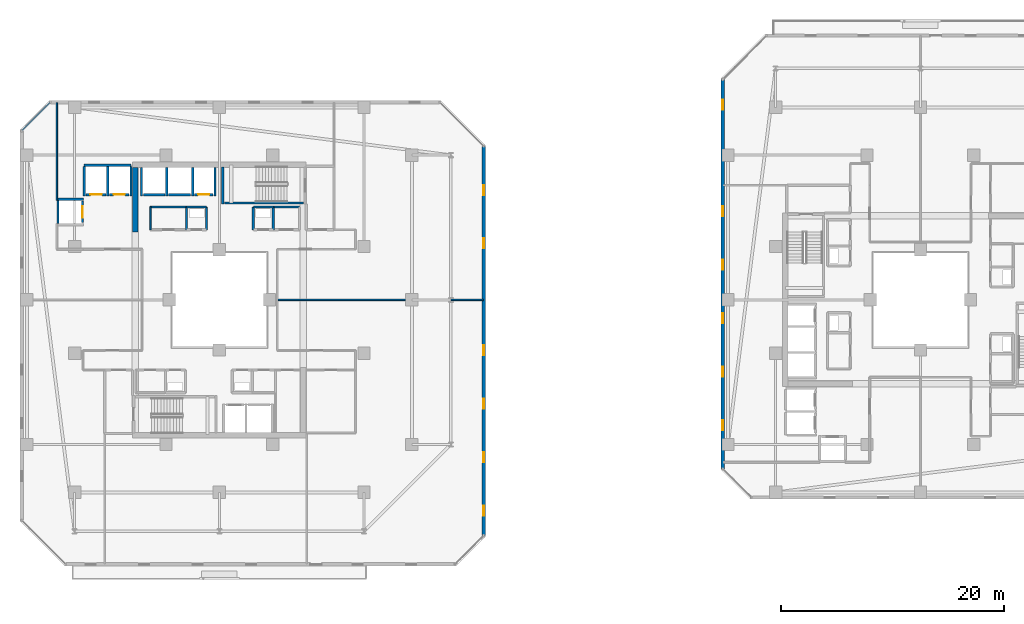
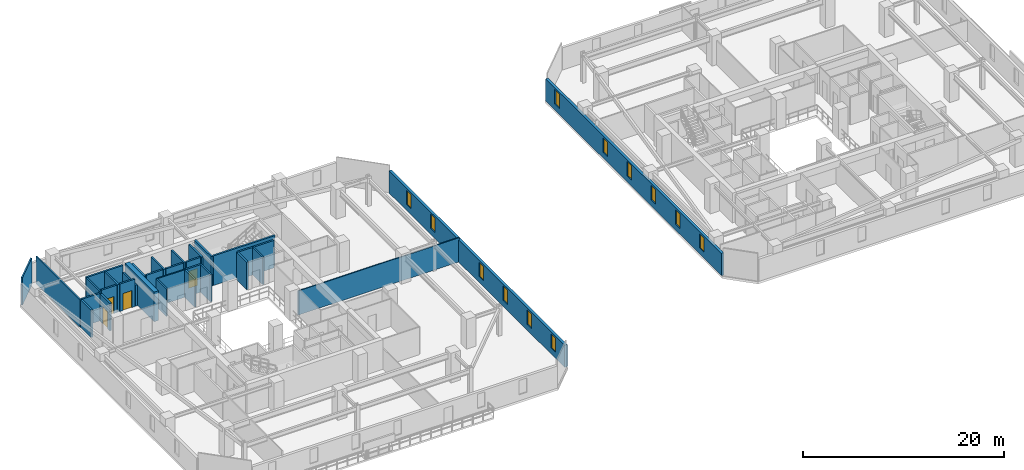
# One storey, part 21 of 32: 33 walls, 12 windows, 4 doors, 16 openings.
"""IFC4 building model written with IfcOpenShell, lengths in metres."""

from ifc_helpers import new_model, si_unit, direction, frame, frame_2d, origin, place, context, subcontext, project, spatial, rectangle, extrude, material, layer, layer_set, type_object, element, fill, save


model = new_model("IFC4")

# Units and contexts
model_context = context("Model", 3, precision=1e-05, world=origin(), true_north=direction((0.0, 1.0)))
body_context = subcontext(model_context, "Body", "Model", "MODEL_VIEW")
ifc_project = project(units=[si_unit("LENGTHUNIT", "METRE"), si_unit("AREAUNIT", "SQUARE_METRE"), si_unit("VOLUMEUNIT", "CUBIC_METRE"), si_unit("PLANEANGLEUNIT", "RADIAN"), si_unit("MASSUNIT", "GRAM", prefix="KILO")], contexts=[model_context])

# Site, building, storey
site_placement = place(None, origin())
site = spatial("IfcSite", under=ifc_project, at=site_placement, CompositionType="ELEMENT")
building_placement = place(site_placement, origin())
building = spatial("IfcBuilding", under=site, at=building_placement, Name="Thornwick Lancets Civic Towers", CompositionType="ELEMENT")
storey_placement = place(building_placement, frame((0.0, 0.0, 152.699951171875)))
storey = spatial("IfcBuildingStorey", under=building, at=storey_placement, Name="L40", CompositionType="ELEMENT", Elevation=152.699951171875)

# Wall, opening, door
ifc_material_1 = material(Name="Concrete blockwork C40/50", Category="masonry")
ifc_layer_1 = layer(ifc_material_1, 0.199951171875, Name="Concrete blockwork C40/50")
ifc_layer_set_1 = layer_set([ifc_layer_1], Name="Concrete blockwork C40/50")
wall_type_1 = type_object("IfcWallType", Name="WALL_COMP_200", PredefinedType="STANDARD", material=ifc_layer_set_1)
wall_1_placement = place(storey_placement, frame((24.919921875, 36.449951171875, 0.0), z_axis=(0.0, 0.0, 1.0), x_axis=(-1.0, 0.0, 0.0)))
wall_1 = element("IfcWall", 1, at=wall_1_placement, inside=storey, type_object=wall_type_1, Name="L40 Hoistway Front Wall FL-A2", PredefinedType="STANDARD", context=body_context, shape_type="SweptSolid", body=[
    extrude(rectangle(XDim=1.639892578125, YDim=0.199951171875, at=frame_2d((0.81982421875, 0.0))), origin(), (0.0, 0.0, 1.0), 3.340087890625),
])
opening_1_placement = place(wall_1_placement, frame((0.31005859375, 0.0, 0.0)))
opening_1 = element("IfcOpeningElement", 2, at=opening_1_placement, cuts=wall_1, Name="Opening LD-FL-A2", PredefinedType="OPENING", context=body_context, shape_type="SweptSolid", body=[
    extrude(rectangle(XDim=1.02001953125, YDim=2.06005859375, at=frame_2d((0.510009765625, 1.030029296875))), frame((0.0, 0.10986328125, 0.0), z_axis=(0.0, -1.0, 0.0), x_axis=(1.0, 0.0, 0.0)), (0.0, 0.0, 1.0), 0.219970703125),
])
ifc_material_2 = material(Name="Brushed bronze stainless steel", Category="steel")
door_type = type_object("IfcDoorType", Name="DOOR_LIFT_SLIDE", OperationType="SLIDING_TO_LEFT", PredefinedType="DOOR", material=ifc_material_2)
door_1_placement = place(opening_1_placement, origin())
door_1 = element("IfcDoor", 3, at=door_1_placement, inside=storey, type_object=door_type, Name="L40 Sliding Lift Landing Door LD-FL-A2", OperationType="SLIDING_TO_LEFT", OverallHeight=2.06005859375, OverallWidth=1.02001953125, PredefinedType="DOOR", context=body_context, shape_type="SweptSolid", body=[
    extrude(rectangle(XDim=1.02001953125, YDim=2.06005859375, at=frame_2d((0.510009765625, 1.030029296875))), frame((0.0, 0.02490234375, 0.0), z_axis=(0.0, -1.0, 0.0), x_axis=(1.0, 0.0, 0.0)), (0.0, 0.0, 1.0), 0.050048828125),
])
fill(opening_1, door_1)

# Walls
wall_2_placement = place(storey_placement, frame((22.919921875, 36.449951171875, 0.0), z_axis=(0.0, 0.0, 1.0), x_axis=(-1.0, 0.0, 0.0)))
element("IfcWall", 4, at=wall_2_placement, inside=storey, type_object=wall_type_1, Name="L40 Hoistway Front Wall PL-AH2", PredefinedType="STANDARD", context=body_context, shape_type="SweptSolid", body=[
    extrude(rectangle(XDim=1.989990234375, YDim=0.199951171875, at=frame_2d((0.9951171875, 0.0))), origin(), (0.0, 0.0, 1.0), 3.340087890625),
])
wall_3_placement = place(storey_placement, frame((20.6201171875, 36.449951171875, 0.0), z_axis=(0.0, 0.0, 1.0), x_axis=(-1.0, 0.0, 0.0)))
element("IfcWall", 5, at=wall_3_placement, inside=storey, type_object=wall_type_1, Name="L40 Hoistway Front Wall PL-AH3", PredefinedType="STANDARD", context=body_context, shape_type="SweptSolid", body=[
    extrude(rectangle(XDim=1.940185546875, YDim=0.199951171875, at=frame_2d((0.97021484375, 0.0))), origin(), (0.0, 0.0, 1.0), 3.340087890625),
])

# Wall, opening, door
wall_4_placement = place(storey_placement, frame((17.3701171875, 36.449951171875, 0.0), z_axis=(0.0, 0.0, 1.0), x_axis=(-1.0, 0.0, 0.0)))
wall_4 = element("IfcWall", 6, at=wall_4_placement, inside=storey, type_object=wall_type_1, Name="L40 Hoistway Front Wall PL-AM1", PredefinedType="STANDARD", context=body_context, shape_type="SweptSolid", body=[
    extrude(rectangle(XDim=1.740234375, YDim=0.199951171875, at=frame_2d((0.8701171875, 0.0))), origin(), (0.0, 0.0, 1.0), 3.340087890625),
])
opening_2_placement = place(wall_4_placement, frame((0.360107421875, 0.0, 0.0)))
opening_2 = element("IfcOpeningElement", 7, at=opening_2_placement, cuts=wall_4, Name="Opening LD-PL-AM1", PredefinedType="OPENING", context=body_context, shape_type="SweptSolid", body=[
    extrude(rectangle(XDim=1.02001953125, YDim=2.06005859375, at=frame_2d((0.510009765625, 1.030029296875))), frame((0.0, 0.10986328125, 0.0), z_axis=(0.0, -1.0, 0.0), x_axis=(1.0, 0.0, 0.0)), (0.0, 0.0, 1.0), 0.219970703125),
])
door_2_placement = place(opening_2_placement, origin())
door_2 = element("IfcDoor", 8, at=door_2_placement, inside=storey, type_object=door_type, Name="L40 Sliding Lift Landing Door LD-PL-AM1", OperationType="SLIDING_TO_LEFT", OverallHeight=2.06005859375, OverallWidth=1.02001953125, PredefinedType="DOOR", context=body_context, shape_type="SweptSolid", body=[
    extrude(rectangle(XDim=1.02001953125, YDim=2.06005859375, at=frame_2d((0.510009765625, 1.030029296875))), frame((0.0, 0.02490234375, 0.0), z_axis=(0.0, -1.0, 0.0), x_axis=(1.0, 0.0, 0.0)), (0.0, 0.0, 1.0), 0.050048828125),
])
fill(opening_2, door_2)

wall_5_placement = place(storey_placement, frame((15.320068359375, 36.449951171875, 0.0), z_axis=(0.0, 0.0, 1.0), x_axis=(-1.0, 0.0, 0.0)))
wall_5 = element("IfcWall", 9, at=wall_5_placement, inside=storey, type_object=wall_type_1, Name="L40 Hoistway Front Wall PL-AM2", PredefinedType="STANDARD", context=body_context, shape_type="SweptSolid", body=[
    extrude(rectangle(XDim=1.7900390625, YDim=0.199951171875, at=frame_2d((0.89501953125, 0.0))), origin(), (0.0, 0.0, 1.0), 3.340087890625),
])
opening_3_placement = place(wall_5_placement, frame((0.385009765625, 0.0, 0.0)))
opening_3 = element("IfcOpeningElement", 10, at=opening_3_placement, cuts=wall_5, Name="Opening LD-PL-AM2", PredefinedType="OPENING", context=body_context, shape_type="SweptSolid", body=[
    extrude(rectangle(XDim=1.02001953125, YDim=2.06005859375, at=frame_2d((0.510009765625, 1.030029296875))), frame((0.0, 0.10986328125, 0.0), z_axis=(0.0, -1.0, 0.0), x_axis=(1.0, 0.0, 0.0)), (0.0, 0.0, 1.0), 0.219970703125),
])
door_3_placement = place(opening_3_placement, origin())
door_3 = element("IfcDoor", 11, at=door_3_placement, inside=storey, type_object=door_type, Name="L40 Sliding Lift Landing Door LD-PL-AM2", OperationType="SLIDING_TO_LEFT", OverallHeight=2.06005859375, OverallWidth=1.02001953125, PredefinedType="DOOR", context=body_context, shape_type="SweptSolid", body=[
    extrude(rectangle(XDim=1.02001953125, YDim=2.06005859375, at=frame_2d((0.510009765625, 1.030029296875))), frame((0.0, 0.02490234375, 0.0), z_axis=(0.0, -1.0, 0.0), x_axis=(1.0, 0.0, 0.0)), (0.0, 0.0, 1.0), 0.050048828125),
])
fill(opening_3, door_3)

wall_6_placement = place(storey_placement, frame((13.199951171875, 33.929931640625, 0.0), z_axis=(0.0, 0.0, 1.0), x_axis=(0.0, 1.0, 0.0)))
wall_6 = element("IfcWall", 12, at=wall_6_placement, inside=storey, type_object=wall_type_1, Name="L40 Hoistway Front Wall PL-AM3", PredefinedType="STANDARD", context=body_context, shape_type="SweptSolid", body=[
    extrude(rectangle(XDim=1.940185546875, YDim=0.199951171875, at=frame_2d((0.97021484375, 0.0))), origin(), (0.0, 0.0, 1.0), 3.340087890625),
])
opening_4_placement = place(wall_6_placement, frame((0.4599609375, 0.0, 0.0)))
opening_4 = element("IfcOpeningElement", 13, at=opening_4_placement, cuts=wall_6, Name="Opening LD-PL-AM3", PredefinedType="OPENING", context=body_context, shape_type="SweptSolid", body=[
    extrude(rectangle(XDim=1.02001953125, YDim=2.06005859375, at=frame_2d((0.510009765625, 1.030029296875))), frame((0.0, 0.10986328125, 0.0), z_axis=(0.0, -1.0, 0.0), x_axis=(1.0, 0.0, 0.0)), (0.0, 0.0, 1.0), 0.219970703125),
])
door_4_placement = place(opening_4_placement, origin())
door_4 = element("IfcDoor", 14, at=door_4_placement, inside=storey, type_object=door_type, Name="L40 Sliding Lift Landing Door LD-PL-AM3", OperationType="SLIDING_TO_LEFT", OverallHeight=2.06005859375, OverallWidth=1.02001953125, PredefinedType="DOOR", context=body_context, shape_type="SweptSolid", body=[
    extrude(rectangle(XDim=1.02001953125, YDim=2.06005859375, at=frame_2d((0.510009765625, 1.030029296875))), frame((0.0, 0.02490234375, 0.0), z_axis=(0.0, -1.0, 0.0), x_axis=(1.0, 0.0, 0.0)), (0.0, 0.0, 1.0), 0.050048828125),
])
fill(opening_4, door_4)

# Walls
for number, where, z_axis, x_axis, name in (
    (15, (25.10009765625, 36.35205078125, 0.0), (0.0, 0.0, 1.0), (0.0, 1.0, 0.0), "L40 Hoistway Shaft Wall FL-A2 E"),
    (16, (23.10009765625, 36.35205078125, 0.0), (0.0, 0.0, 1.0), (0.0, 1.0, 0.0), "L40 Hoistway Shaft Wall FL-A2 W"),
    (17, (20.77490234375, 36.35205078125, 0.0), (0.0, 0.0, 1.0), (0.0, 1.0, 0.0), "L40 Hoistway Shaft Wall PL-AH2 W"),
    (18, (18.5, 36.35205078125, 0.0), (0.0, 0.0, 1.0), (0.0, 1.0, 0.0), "L40 Hoistway Shaft Wall PL-AH3 W"),
):
    element("IfcWall", number, at=place(storey_placement, frame(where, z_axis=z_axis, x_axis=x_axis)), inside=storey, type_object=wall_type_1, Name=name, PredefinedType="STANDARD", context=body_context, shape_type="SweptSolid", body=[
        extrude(rectangle(XDim=2.535888671875, YDim=0.199951171875, at=frame_2d((1.26806640625, 0.0))), origin(), (0.0, 0.0, 1.0), 3.340087890625),
    ])
wall_7_placement = place(storey_placement, frame((13.35205078125, 39.10009765625, 0.0), z_axis=(0.0, 0.0, 1.0), x_axis=(1.0, 0.0, 0.0)))
element("IfcWall", 19, at=wall_7_placement, inside=storey, type_object=wall_type_1, Name="L40 Hoistway Shaft Wall PL-AM1 N", PredefinedType="STANDARD", context=body_context, shape_type="SweptSolid", body=[
    extrude(rectangle(XDim=4.196044921875, YDim=0.199951171875, at=frame_2d((2.09814453125, 0.0))), origin(), (0.0, 0.0, 1.0), 3.340087890625),
])
wall_8_placement = place(storey_placement, frame((17.550048828125, 36.35205078125, 0.0), z_axis=(0.0, 0.0, 1.0), x_axis=(0.0, 1.0, 0.0)))
element("IfcWall", 20, at=wall_8_placement, inside=storey, type_object=wall_type_1, Name="L40 Hoistway Shaft Wall PL-AM1 E", PredefinedType="STANDARD", context=body_context, shape_type="SweptSolid", body=[
    extrude(rectangle(XDim=2.635986328125, YDim=0.199951171875, at=frame_2d((1.31787109375, 0.0))), origin(), (0.0, 0.0, 1.0), 2.545166015625),
])
for number, where, z_axis, x_axis, name in (
    (21, (15.47509765625, 36.35205078125, 0.0), (0.0, 0.0, 1.0), (0.0, 1.0, 0.0), "L40 Hoistway Shaft Wall PL-AM1 W"),
    (22, (13.35009765625, 36.35205078125, 0.0), (0.0, 0.0, 1.0), (0.0, 1.0, 0.0), "L40 Hoistway Shaft Wall PL-AM2 W"),
):
    element("IfcWall", number, at=place(storey_placement, frame(where, z_axis=z_axis, x_axis=x_axis)), inside=storey, type_object=wall_type_1, Name=name, PredefinedType="STANDARD", context=body_context, shape_type="SweptSolid", body=[
        extrude(rectangle(XDim=2.635986328125, YDim=0.199951171875, at=frame_2d((1.31787109375, 0.0))), origin(), (0.0, 0.0, 1.0), 3.340087890625),
    ])
wall_9_placement = place(storey_placement, frame((11.001953125, 36.050048828125, 0.0), z_axis=(0.0, 0.0, 1.0), x_axis=(1.0, 0.0, 0.0)))
element("IfcWall", 23, at=wall_9_placement, inside=storey, type_object=wall_type_1, Name="L40 Hoistway Shaft Wall PL-AM3 N", PredefinedType="STANDARD", context=body_context, shape_type="SweptSolid", body=[
    extrude(rectangle(XDim=2.296142578125, YDim=0.199951171875, at=frame_2d((1.14794921875, 0.0))), origin(), (0.0, 0.0, 1.0), 3.340087890625),
])
wall_10_placement = place(storey_placement, frame((11.0, 33.862060546875, 0.0), z_axis=(0.0, 0.0, 1.0), x_axis=(0.0, 1.0, 0.0)))
element("IfcWall", 24, at=wall_10_placement, inside=storey, type_object=wall_type_1, Name="L40 Hoistway Shaft Wall PL-AM3 W", PredefinedType="STANDARD", context=body_context, shape_type="SweptSolid", body=[
    extrude(rectangle(XDim=2.075927734375, YDim=0.199951171875, at=frame_2d((1.0380859375, 0.0))), origin(), (0.0, 0.0, 1.0), 3.340087890625),
])
wall_11_placement = place(storey_placement, frame((24.35009765625, 33.300048828125, 0.0), z_axis=(0.0, 0.0, 1.0), x_axis=(0.0, 1.0, 0.0)))
element("IfcWall", 25, at=wall_11_placement, inside=storey, type_object=wall_type_1, Name="L40 Partition L40-A-DUCT2 E2", PredefinedType="STANDARD", context=body_context, shape_type="SweptSolid", body=[
    extrude(rectangle(XDim=2.050048828125, YDim=0.199951171875, at=frame_2d((1.02490234375, 0.0))), origin(), (0.0, 0.0, 1.0), 3.340087890625),
])
wall_12_placement = place(storey_placement, frame((24.35009765625, 35.35009765625, 0.0), z_axis=(0.0, 0.0, 1.0), x_axis=(-1.0, 0.0, 0.0)))
element("IfcWall", 26, at=wall_12_placement, inside=storey, type_object=wall_type_1, Name="L40 Partition L40-A-DUCT2 E3", PredefinedType="STANDARD", context=body_context, shape_type="SweptSolid", body=[
    extrude(rectangle(XDim=1.800048828125, YDim=0.199951171875, at=frame_2d((0.89990234375, 0.0))), origin(), (0.0, 0.0, 1.0), 3.340087890625),
])
for number, where, z_axis, x_axis, name in (
    (27, (22.550048828125, 35.35009765625, 0.0), (0.0, 0.0, 1.0), (0.0, -1.0, 0.0), "L40 Partition L40-A-DUCT2 E4"),
    (28, (30.35009765625, 33.300048828125, 0.0), (0.0, 0.0, 1.0), (0.0, 1.0, 0.0), "L40 Partition L40-A-RISER2 E2"),
):
    element("IfcWall", number, at=place(storey_placement, frame(where, z_axis=z_axis, x_axis=x_axis)), inside=storey, type_object=wall_type_1, Name=name, PredefinedType="STANDARD", context=body_context, shape_type="SweptSolid", body=[
        extrude(rectangle(XDim=2.050048828125, YDim=0.199951171875, at=frame_2d((1.02490234375, 0.0))), origin(), (0.0, 0.0, 1.0), 3.340087890625),
    ])
wall_13_placement = place(storey_placement, frame((30.35009765625, 35.35009765625, 0.0), z_axis=(0.0, 0.0, 1.0), x_axis=(-1.0, 0.0, 0.0)))
element("IfcWall", 29, at=wall_13_placement, inside=storey, type_object=wall_type_1, Name="L40 Partition L40-A-RISER2 E3", PredefinedType="STANDARD", context=body_context, shape_type="SweptSolid", body=[
    extrude(rectangle(XDim=1.800048828125, YDim=0.199951171875, at=frame_2d((0.89990234375, 0.0))), origin(), (0.0, 0.0, 1.0), 3.340087890625),
])
wall_14_placement = place(storey_placement, frame((28.550048828125, 35.35009765625, 0.0), z_axis=(0.0, 0.0, 1.0), x_axis=(0.0, -1.0, 0.0)))
element("IfcWall", 30, at=wall_14_placement, inside=storey, type_object=wall_type_1, Name="L40 Partition L40-A-RISER2 E4", PredefinedType="STANDARD", context=body_context, shape_type="SweptSolid", body=[
    extrude(rectangle(XDim=2.050048828125, YDim=0.199951171875, at=frame_2d((1.02490234375, 0.0))), origin(), (0.0, 0.0, 1.0), 3.340087890625),
])
wall_15_placement = place(storey_placement, frame((30.35009765625, 35.35009765625, 0.0), z_axis=(0.0, 0.0, 1.0), x_axis=(1.0, 0.0, 0.0)))
element("IfcWall", 31, at=wall_15_placement, inside=storey, type_object=wall_type_1, Name="L40 Partition L40-A-STR E4", PredefinedType="STANDARD", context=body_context, shape_type="SweptSolid", body=[
    extrude(rectangle(XDim=2.349853515625, YDim=0.199951171875, at=frame_2d((1.1748046875, 0.0))), origin(), (0.0, 0.0, 1.0), 3.340087890625),
])
ifc_material_3 = material(Name="Concrete C50/60", Category="concrete")
ifc_layer_2 = layer(ifc_material_3, 0.5, Name="Concrete C50/60")
ifc_layer_set_2 = layer_set([ifc_layer_2], Name="Concrete C50/60")
wall_type_2 = type_object("IfcWallType", Name="WALL_CORE_500", PredefinedType="SHEAR", material=ifc_layer_set_2)
wall_16_placement = place(storey_placement, frame((17.949951171875, 33.10009765625, 0.0), z_axis=(0.0, 0.0, 1.0), x_axis=(0.0, 1.0, 0.0)))
element("IfcWall", 32, at=wall_16_placement, inside=storey, type_object=wall_type_2, Name="L40 Split Core A2 Shear Wall W", PredefinedType="SHEAR", context=body_context, shape_type="SweptSolid", body=[
    extrude(rectangle(XDim=5.7998046875, YDim=0.5, at=frame_2d((2.89990234375, 0.0))), origin(), (0.0, 0.0, 1.0), 3.60009765625),
])

# Wall, openings, windows
ifc_material_4 = material(Name="Insulated russet terracotta rainscreen on concrete C40/50", Category="masonry")
ifc_layer_3 = layer(ifc_material_4, 0.300048828125, Name="Insulated russet terracotta rainscreen on concrete C40/50")
ifc_layer_set_3 = layer_set([ifc_layer_3], Name="Insulated russet terracotta rainscreen on concrete C40/50")
wall_type_3 = type_object("IfcWallType", Name="WALL_EXT_RUSSET_300", PredefinedType="STANDARD", material=ifc_layer_set_3)
wall_17_placement = place(storey_placement, frame((49.2646484375, 5.818603515625, 0.0), z_axis=(0.0, 0.0, 1.0), x_axis=(-0.000132597301, 0.999999991209, 0.0)))
wall_17 = element("IfcWall", 33, at=wall_17_placement, inside=storey, type_object=wall_type_3, Name="L40 Tower A Terracotta Facade Wall E2", PredefinedType="STANDARD", context=body_context, shape_type="SweptSolid", body=[
    extrude(rectangle(XDim=34.983154296875, YDim=0.300048828125, at=frame_2d((17.49169921875, 0.0))), origin(), (0.0, 0.0, 1.0), 2.699951171875),
])
opening_5_placement = place(wall_17_placement, frame((1.800048828125, 0.0, 0.719970703125)))
opening_5 = element("IfcOpeningElement", 34, at=opening_5_placement, cuts=wall_17, Name="Opening WL-01", PredefinedType="OPENING", context=body_context, shape_type="SweptSolid", body=[
    extrude(rectangle(XDim=0.89990234375, YDim=1.75, at=frame_2d((0.449951171875, 0.875))), frame((0.0, 0.16015625, 0.0), z_axis=(0.0, -1.0, 0.0), x_axis=(1.0, 0.0, 0.0)), (0.0, 0.0, 1.0), 0.320068359375),
])
opening_6_placement = place(wall_17_placement, frame((6.60009765625, 0.0, 0.719970703125)))
opening_6 = element("IfcOpeningElement", 35, at=opening_6_placement, cuts=wall_17, Name="Opening WL-01", PredefinedType="OPENING", context=body_context, shape_type="SweptSolid", body=[
    extrude(rectangle(XDim=0.89990234375, YDim=1.75, at=frame_2d((0.449951171875, 0.875))), frame((0.0, 0.16015625, 0.0), z_axis=(0.0, -1.0, 0.0), x_axis=(1.0, 0.0, 0.0)), (0.0, 0.0, 1.0), 0.320068359375),
])
opening_7_placement = place(wall_17_placement, frame((11.39990234375, 0.0, 0.719970703125)))
opening_7 = element("IfcOpeningElement", 36, at=opening_7_placement, cuts=wall_17, Name="Opening WL-01", PredefinedType="OPENING", context=body_context, shape_type="SweptSolid", body=[
    extrude(rectangle(XDim=0.89990234375, YDim=1.75, at=frame_2d((0.449951171875, 0.875))), frame((0.0, 0.16015625, 0.0), z_axis=(0.0, -1.0, 0.0), x_axis=(1.0, 0.0, 0.0)), (0.0, 0.0, 1.0), 0.320068359375),
])
opening_8_placement = place(wall_17_placement, frame((16.199951171875, 0.0, 0.719970703125)))
opening_8 = element("IfcOpeningElement", 37, at=opening_8_placement, cuts=wall_17, Name="Opening WL-01", PredefinedType="OPENING", context=body_context, shape_type="SweptSolid", body=[
    extrude(rectangle(XDim=0.89990234375, YDim=1.75, at=frame_2d((0.449951171875, 0.875))), frame((0.0, 0.16015625, 0.0), z_axis=(0.0, -1.0, 0.0), x_axis=(1.0, 0.0, 0.0)), (0.0, 0.0, 1.0), 0.320068359375),
])
opening_9_placement = place(wall_17_placement, frame((25.800048828125, 0.0, 0.719970703125)))
opening_9 = element("IfcOpeningElement", 38, at=opening_9_placement, cuts=wall_17, Name="Opening WL-01", PredefinedType="OPENING", context=body_context, shape_type="SweptSolid", body=[
    extrude(rectangle(XDim=0.89990234375, YDim=1.75, at=frame_2d((0.449951171875, 0.875))), frame((0.0, 0.16015625, 0.0), z_axis=(0.0, -1.0, 0.0), x_axis=(1.0, 0.0, 0.0)), (0.0, 0.0, 1.0), 0.320068359375),
])
opening_10_placement = place(wall_17_placement, frame((30.60009765625, 0.0, 0.719970703125)))
opening_10 = element("IfcOpeningElement", 39, at=opening_10_placement, cuts=wall_17, Name="Opening WL-01", PredefinedType="OPENING", context=body_context, shape_type="SweptSolid", body=[
    extrude(rectangle(XDim=0.89990234375, YDim=1.75, at=frame_2d((0.449951171875, 0.875))), frame((0.0, 0.16015625, 0.0), z_axis=(0.0, -1.0, 0.0), x_axis=(1.0, 0.0, 0.0)), (0.0, 0.0, 1.0), 0.320068359375),
])
ifc_material_5 = material(Name="Clear low-e double glazing in bronze frame", Category="glass")
window_type = type_object("IfcWindowType", Name="WIN_LANCET_900", PartitioningType="SINGLE_PANEL", PredefinedType="WINDOW", material=ifc_material_5)
window_1_placement = place(opening_5_placement, origin())
window_1 = element("IfcWindow", 40, at=window_1_placement, inside=storey, type_object=window_type, Name="L40 Tower A Staggered Lancet Window E2-1", OverallHeight=1.75, OverallWidth=0.89990234375, PartitioningType="SINGLE_PANEL", PredefinedType="WINDOW", context=body_context, shape_type="SweptSolid", body=[
    extrude(rectangle(XDim=0.89990234375, YDim=1.75, at=frame_2d((0.449951171875, 0.875))), frame((0.0, 0.030029296875, 0.0), z_axis=(0.0, -1.0, 0.0), x_axis=(1.0, 0.0, 0.0)), (0.0, 0.0, 1.0), 0.06005859375),
])
fill(opening_5, window_1)
window_2_placement = place(opening_6_placement, origin())
window_2 = element("IfcWindow", 41, at=window_2_placement, inside=storey, type_object=window_type, Name="L40 Tower A Staggered Lancet Window E2-2", OverallHeight=1.75, OverallWidth=0.89990234375, PartitioningType="SINGLE_PANEL", PredefinedType="WINDOW", context=body_context, shape_type="SweptSolid", body=[
    extrude(rectangle(XDim=0.89990234375, YDim=1.75, at=frame_2d((0.449951171875, 0.875))), frame((0.0, 0.030029296875, 0.0), z_axis=(0.0, -1.0, 0.0), x_axis=(1.0, 0.0, 0.0)), (0.0, 0.0, 1.0), 0.06005859375),
])
fill(opening_6, window_2)
window_3_placement = place(opening_7_placement, origin())
window_3 = element("IfcWindow", 42, at=window_3_placement, inside=storey, type_object=window_type, Name="L40 Tower A Staggered Lancet Window E2-3", OverallHeight=1.75, OverallWidth=0.89990234375, PartitioningType="SINGLE_PANEL", PredefinedType="WINDOW", context=body_context, shape_type="SweptSolid", body=[
    extrude(rectangle(XDim=0.89990234375, YDim=1.75, at=frame_2d((0.449951171875, 0.875))), frame((0.0, 0.030029296875, 0.0), z_axis=(0.0, -1.0, 0.0), x_axis=(1.0, 0.0, 0.0)), (0.0, 0.0, 1.0), 0.06005859375),
])
fill(opening_7, window_3)
window_4_placement = place(opening_8_placement, origin())
window_4 = element("IfcWindow", 43, at=window_4_placement, inside=storey, type_object=window_type, Name="L40 Tower A Staggered Lancet Window E2-4", OverallHeight=1.75, OverallWidth=0.89990234375, PartitioningType="SINGLE_PANEL", PredefinedType="WINDOW", context=body_context, shape_type="SweptSolid", body=[
    extrude(rectangle(XDim=0.89990234375, YDim=1.75, at=frame_2d((0.449951171875, 0.875))), frame((0.0, 0.030029296875, 0.0), z_axis=(0.0, -1.0, 0.0), x_axis=(1.0, 0.0, 0.0)), (0.0, 0.0, 1.0), 0.06005859375),
])
fill(opening_8, window_4)
window_5_placement = place(opening_9_placement, origin())
window_5 = element("IfcWindow", 44, at=window_5_placement, inside=storey, type_object=window_type, Name="L40 Tower A Staggered Lancet Window E2-5", OverallHeight=1.75, OverallWidth=0.89990234375, PartitioningType="SINGLE_PANEL", PredefinedType="WINDOW", context=body_context, shape_type="SweptSolid", body=[
    extrude(rectangle(XDim=0.89990234375, YDim=1.75, at=frame_2d((0.449951171875, 0.875))), frame((0.0, 0.030029296875, 0.0), z_axis=(0.0, -1.0, 0.0), x_axis=(1.0, 0.0, 0.0)), (0.0, 0.0, 1.0), 0.06005859375),
])
fill(opening_9, window_5)
window_6_placement = place(opening_10_placement, origin())
window_6 = element("IfcWindow", 45, at=window_6_placement, inside=storey, type_object=window_type, Name="L40 Tower A Staggered Lancet Window E2-6", OverallHeight=1.75, OverallWidth=0.89990234375, PartitioningType="SINGLE_PANEL", PredefinedType="WINDOW", context=body_context, shape_type="SweptSolid", body=[
    extrude(rectangle(XDim=0.89990234375, YDim=1.75, at=frame_2d((0.449951171875, 0.875))), frame((0.0, 0.030029296875, 0.0), z_axis=(0.0, -1.0, 0.0), x_axis=(1.0, 0.0, 0.0)), (0.0, 0.0, 1.0), 0.06005859375),
])
fill(opening_10, window_6)

wall_18_placement = place(storey_placement, frame((70.739990234375, 46.8017578125, 0.0), z_axis=(0.0, 0.0, 1.0), x_axis=(-0.000132597301, -0.999999991209, 0.0)))
wall_18 = element("IfcWall", 46, at=wall_18_placement, inside=storey, type_object=wall_type_3, Name="L40 Tower B Terracotta Facade Wall E6", PredefinedType="STANDARD", context=body_context, shape_type="SweptSolid", body=[
    extrude(rectangle(XDim=34.983154296875, YDim=0.300048828125, at=frame_2d((17.49169921875, 0.0))), origin(), (0.0, 0.0, 1.0), 2.699951171875),
])
opening_11_placement = place(wall_18_placement, frame((1.800048828125, 0.0, 0.719970703125)))
opening_11 = element("IfcOpeningElement", 47, at=opening_11_placement, cuts=wall_18, Name="Opening WL-01", PredefinedType="OPENING", context=body_context, shape_type="SweptSolid", body=[
    extrude(rectangle(XDim=0.89990234375, YDim=1.75, at=frame_2d((0.449951171875, 0.875))), frame((0.0, 0.16015625, 0.0), z_axis=(0.0, -1.0, 0.0), x_axis=(1.0, 0.0, 0.0)), (0.0, 0.0, 1.0), 0.320068359375),
])
opening_12_placement = place(wall_18_placement, frame((11.39990234375, 0.0, 0.719970703125)))
opening_12 = element("IfcOpeningElement", 48, at=opening_12_placement, cuts=wall_18, Name="Opening WL-01", PredefinedType="OPENING", context=body_context, shape_type="SweptSolid", body=[
    extrude(rectangle(XDim=0.89990234375, YDim=1.75, at=frame_2d((0.449951171875, 0.875))), frame((0.0, 0.16015625, 0.0), z_axis=(0.0, -1.0, 0.0), x_axis=(1.0, 0.0, 0.0)), (0.0, 0.0, 1.0), 0.320068359375),
])
opening_13_placement = place(wall_18_placement, frame((16.199951171875, 0.0, 0.719970703125)))
opening_13 = element("IfcOpeningElement", 49, at=opening_13_placement, cuts=wall_18, Name="Opening WL-01", PredefinedType="OPENING", context=body_context, shape_type="SweptSolid", body=[
    extrude(rectangle(XDim=0.89990234375, YDim=1.75, at=frame_2d((0.449951171875, 0.875))), frame((0.0, 0.16015625, 0.0), z_axis=(0.0, -1.0, 0.0), x_axis=(1.0, 0.0, 0.0)), (0.0, 0.0, 1.0), 0.320068359375),
])
opening_14_placement = place(wall_18_placement, frame((21.0, 0.0, 0.719970703125)))
opening_14 = element("IfcOpeningElement", 50, at=opening_14_placement, cuts=wall_18, Name="Opening WL-01", PredefinedType="OPENING", context=body_context, shape_type="SweptSolid", body=[
    extrude(rectangle(XDim=0.89990234375, YDim=1.75, at=frame_2d((0.449951171875, 0.875))), frame((0.0, 0.16015625, 0.0), z_axis=(0.0, -1.0, 0.0), x_axis=(1.0, 0.0, 0.0)), (0.0, 0.0, 1.0), 0.320068359375),
])
opening_15_placement = place(wall_18_placement, frame((25.800048828125, 0.0, 0.719970703125)))
opening_15 = element("IfcOpeningElement", 51, at=opening_15_placement, cuts=wall_18, Name="Opening WL-01", PredefinedType="OPENING", context=body_context, shape_type="SweptSolid", body=[
    extrude(rectangle(XDim=0.89990234375, YDim=1.75, at=frame_2d((0.449951171875, 0.875))), frame((0.0, 0.16015625, 0.0), z_axis=(0.0, -1.0, 0.0), x_axis=(1.0, 0.0, 0.0)), (0.0, 0.0, 1.0), 0.320068359375),
])
opening_16_placement = place(wall_18_placement, frame((30.60009765625, 0.0, 0.719970703125)))
opening_16 = element("IfcOpeningElement", 52, at=opening_16_placement, cuts=wall_18, Name="Opening WL-01", PredefinedType="OPENING", context=body_context, shape_type="SweptSolid", body=[
    extrude(rectangle(XDim=0.89990234375, YDim=1.75, at=frame_2d((0.449951171875, 0.875))), frame((0.0, 0.16015625, 0.0), z_axis=(0.0, -1.0, 0.0), x_axis=(1.0, 0.0, 0.0)), (0.0, 0.0, 1.0), 0.320068359375),
])
window_7_placement = place(opening_11_placement, origin())
window_7 = element("IfcWindow", 53, at=window_7_placement, inside=storey, type_object=window_type, Name="L40 Tower B Staggered Lancet Window E6-1", OverallHeight=1.75, OverallWidth=0.89990234375, PartitioningType="SINGLE_PANEL", PredefinedType="WINDOW", context=body_context, shape_type="SweptSolid", body=[
    extrude(rectangle(XDim=0.89990234375, YDim=1.75, at=frame_2d((0.449951171875, 0.875))), frame((0.0, 0.030029296875, 0.0), z_axis=(0.0, -1.0, 0.0), x_axis=(1.0, 0.0, 0.0)), (0.0, 0.0, 1.0), 0.06005859375),
])
fill(opening_11, window_7)
window_8_placement = place(opening_12_placement, origin())
window_8 = element("IfcWindow", 54, at=window_8_placement, inside=storey, type_object=window_type, Name="L40 Tower B Staggered Lancet Window E6-2", OverallHeight=1.75, OverallWidth=0.89990234375, PartitioningType="SINGLE_PANEL", PredefinedType="WINDOW", context=body_context, shape_type="SweptSolid", body=[
    extrude(rectangle(XDim=0.89990234375, YDim=1.75, at=frame_2d((0.449951171875, 0.875))), frame((0.0, 0.030029296875, 0.0), z_axis=(0.0, -1.0, 0.0), x_axis=(1.0, 0.0, 0.0)), (0.0, 0.0, 1.0), 0.06005859375),
])
fill(opening_12, window_8)
window_9_placement = place(opening_13_placement, origin())
window_9 = element("IfcWindow", 55, at=window_9_placement, inside=storey, type_object=window_type, Name="L40 Tower B Staggered Lancet Window E6-3", OverallHeight=1.75, OverallWidth=0.89990234375, PartitioningType="SINGLE_PANEL", PredefinedType="WINDOW", context=body_context, shape_type="SweptSolid", body=[
    extrude(rectangle(XDim=0.89990234375, YDim=1.75, at=frame_2d((0.449951171875, 0.875))), frame((0.0, 0.030029296875, 0.0), z_axis=(0.0, -1.0, 0.0), x_axis=(1.0, 0.0, 0.0)), (0.0, 0.0, 1.0), 0.06005859375),
])
fill(opening_13, window_9)
window_10_placement = place(opening_14_placement, origin())
window_10 = element("IfcWindow", 56, at=window_10_placement, inside=storey, type_object=window_type, Name="L40 Tower B Staggered Lancet Window E6-4", OverallHeight=1.75, OverallWidth=0.89990234375, PartitioningType="SINGLE_PANEL", PredefinedType="WINDOW", context=body_context, shape_type="SweptSolid", body=[
    extrude(rectangle(XDim=0.89990234375, YDim=1.75, at=frame_2d((0.449951171875, 0.875))), frame((0.0, 0.030029296875, 0.0), z_axis=(0.0, -1.0, 0.0), x_axis=(1.0, 0.0, 0.0)), (0.0, 0.0, 1.0), 0.06005859375),
])
fill(opening_14, window_10)
window_11_placement = place(opening_15_placement, origin())
window_11 = element("IfcWindow", 57, at=window_11_placement, inside=storey, type_object=window_type, Name="L40 Tower B Staggered Lancet Window E6-5", OverallHeight=1.75, OverallWidth=0.89990234375, PartitioningType="SINGLE_PANEL", PredefinedType="WINDOW", context=body_context, shape_type="SweptSolid", body=[
    extrude(rectangle(XDim=0.89990234375, YDim=1.75, at=frame_2d((0.449951171875, 0.875))), frame((0.0, 0.030029296875, 0.0), z_axis=(0.0, -1.0, 0.0), x_axis=(1.0, 0.0, 0.0)), (0.0, 0.0, 1.0), 0.06005859375),
])
fill(opening_15, window_11)
window_12_placement = place(opening_16_placement, origin())
window_12 = element("IfcWindow", 58, at=window_12_placement, inside=storey, type_object=window_type, Name="L40 Tower B Staggered Lancet Window E6-6", OverallHeight=1.75, OverallWidth=0.89990234375, PartitioningType="SINGLE_PANEL", PredefinedType="WINDOW", context=body_context, shape_type="SweptSolid", body=[
    extrude(rectangle(XDim=0.89990234375, YDim=1.75, at=frame_2d((0.449951171875, 0.875))), frame((0.0, 0.030029296875, 0.0), z_axis=(0.0, -1.0, 0.0), x_axis=(1.0, 0.0, 0.0)), (0.0, 0.0, 1.0), 0.06005859375),
])
fill(opening_16, window_12)

# Walls
ifc_material_6 = material(Name="Acoustic gypsum board partition")
ifc_layer_4 = layer(ifc_material_6, 0.1201171875, Name="Acoustic gypsum board partition")
ifc_layer_set_4 = layer_set([ifc_layer_4], Name="Acoustic gypsum board partition")
wall_type_4 = type_object("IfcWallType", Name="WALL_PART_120", PredefinedType="PARTITIONING", material=ifc_layer_set_4)
wall_19_placement = place(storey_placement, frame((30.699951171875, 27.0, 0.0), z_axis=(0.0, 0.0, 1.0), x_axis=(1.0, 0.0, 0.0)))
element("IfcWall", 59, at=wall_19_placement, inside=storey, type_object=wall_type_4, Name="L40 Partition L40-A-E1 E8", PredefinedType="PARTITIONING", context=body_context, shape_type="SweptSolid", body=[
    extrude(rectangle(XDim=18.52001953125, YDim=0.1201171875, at=frame_2d((9.260009765625, 0.0))), origin(), (0.0, 0.0, 1.0), 2.93212890625),
])
ifc_material_7 = material(Name="Twin-stud acoustic gypsum board")
ifc_layer_5 = layer(ifc_material_7, 0.14990234375, Name="Twin-stud acoustic gypsum board")
ifc_layer_set_5 = layer_set([ifc_layer_5], Name="Twin-stud acoustic gypsum board")
wall_type_5 = type_object("IfcWallType", Name="WALL_PART_150", PredefinedType="PARTITIONING", material=ifc_layer_set_5)
wall_20_placement = place(storey_placement, frame((19.300048828125, 33.300048828125, 0.0), z_axis=(0.0, 0.0, 1.0), x_axis=(0.0, 1.0, 0.0)))
element("IfcWall", 60, at=wall_20_placement, inside=storey, type_object=wall_type_5, Name="L40 Partition L40-A-FWC E1", PredefinedType="PARTITIONING", context=body_context, shape_type="SweptSolid", body=[
    extrude(rectangle(XDim=2.050048828125, YDim=0.14990234375, at=frame_2d((1.02490234375, 0.0))), origin(), (0.0, 0.0, 1.0), 3.340087890625),
])
wall_21_placement = place(storey_placement, frame((19.300048828125, 35.35009765625, 0.0), z_axis=(0.0, 0.0, 1.0), x_axis=(1.0, 0.0, 0.0)))
element("IfcWall", 61, at=wall_21_placement, inside=storey, type_object=wall_type_5, Name="L40 Partition L40-A-FWC E2", PredefinedType="PARTITIONING", context=body_context, shape_type="SweptSolid", body=[
    extrude(rectangle(XDim=3.25, YDim=0.14990234375, at=frame_2d((1.625, 0.0))), origin(), (0.0, 0.0, 1.0), 3.340087890625),
])
wall_22_placement = place(storey_placement, frame((7.780029296875, 42.225341796875, 0.0), z_axis=(0.0, 0.0, 1.0), x_axis=(0.707106781187, 0.707106781187, 0.0)))
element("IfcWall", 62, at=wall_22_placement, inside=storey, type_object=wall_type_5, Name="L40 Partition L40-A-W2 E5", PredefinedType="PARTITIONING", context=body_context, shape_type="SweptSolid", body=[
    extrude(rectangle(XDim=3.52783203125, YDim=0.14990234375, at=frame_2d((1.763916015625, 0.0))), origin(), (0.0, 0.0, 1.0), 3.340087890625),
])
wall_23_placement = place(storey_placement, frame((10.89990234375, 44.719970703125, 0.0), z_axis=(0.0, 0.0, 1.0), x_axis=(0.0, -1.0, 0.0)))
element("IfcWall", 63, at=wall_23_placement, inside=storey, type_object=wall_type_5, Name="L40 Partition L40-A-W2 E7", PredefinedType="PARTITIONING", context=body_context, shape_type="SweptSolid", body=[
    extrude(rectangle(XDim=8.781982421875, YDim=0.14990234375, at=frame_2d((4.39111328125, 0.0))), origin(), (0.0, 0.0, 1.0), 3.340087890625),
])
ifc_material_8 = material(Name="Concrete C40/50", Category="concrete")
ifc_layer_6 = layer(ifc_material_8, 0.199951171875, Name="Concrete C40/50")
ifc_layer_set_6 = layer_set([ifc_layer_6], Name="Concrete C40/50")
wall_type_6 = type_object("IfcWallType", Name="WALL_SHAFT_200", PredefinedType="SHEAR", material=ifc_layer_set_6)
wall_24_placement = place(storey_placement, frame((25.800048828125, 35.60009765625, 0.0), z_axis=(0.0, 0.0, 1.0), x_axis=(0.0, 1.0, 0.0)))
element("IfcWall", 64, at=wall_24_placement, inside=storey, type_object=wall_type_6, Name="L40 ST-A2 Fire Stair Core Wall FAR", PredefinedType="SHEAR", context=body_context, shape_type="SweptSolid", body=[
    extrude(rectangle(XDim=3.349853515625, YDim=0.199951171875, at=frame_2d((1.6748046875, 0.0))), origin(), (0.0, 0.0, 1.0), 3.60009765625),
])
wall_25_placement = place(storey_placement, frame((25.949951171875, 35.702880859375, 0.0), z_axis=(0.0, 0.0, 1.0), x_axis=(1.0, 0.0, 0.0)))
element("IfcWall", 65, at=wall_25_placement, inside=storey, type_object=wall_type_6, Name="L40 ST-A2 Fire Stair Core Wall RIGHT", PredefinedType="SHEAR", context=body_context, shape_type="SweptSolid", body=[
    extrude(rectangle(XDim=7.10009765625, YDim=0.199951171875, at=frame_2d((3.550048828125, 0.0))), origin(), (0.0, 0.0, 1.0), 3.60009765625),
])

save(model, "model.ifc")
